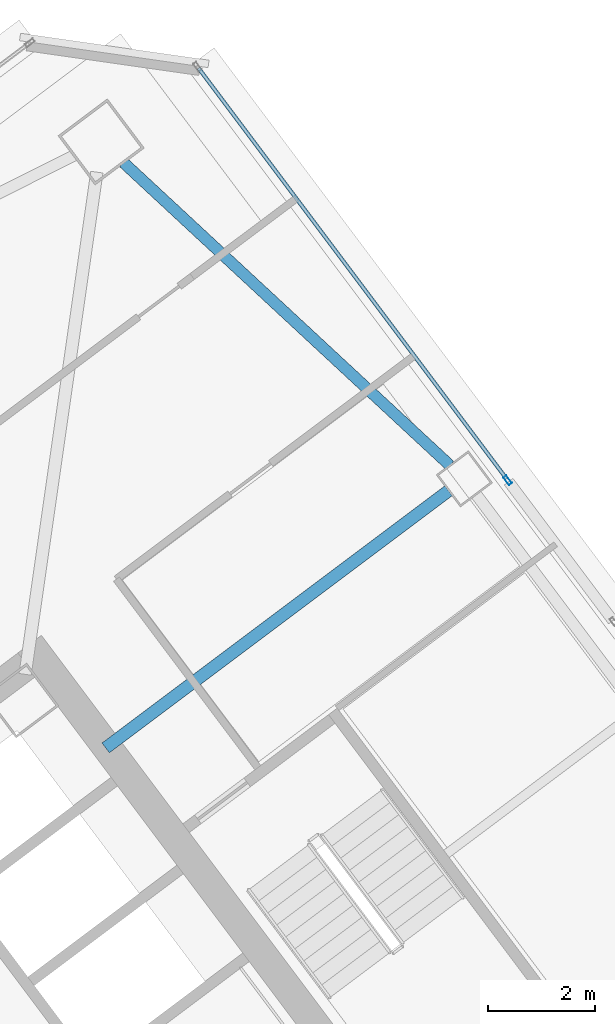
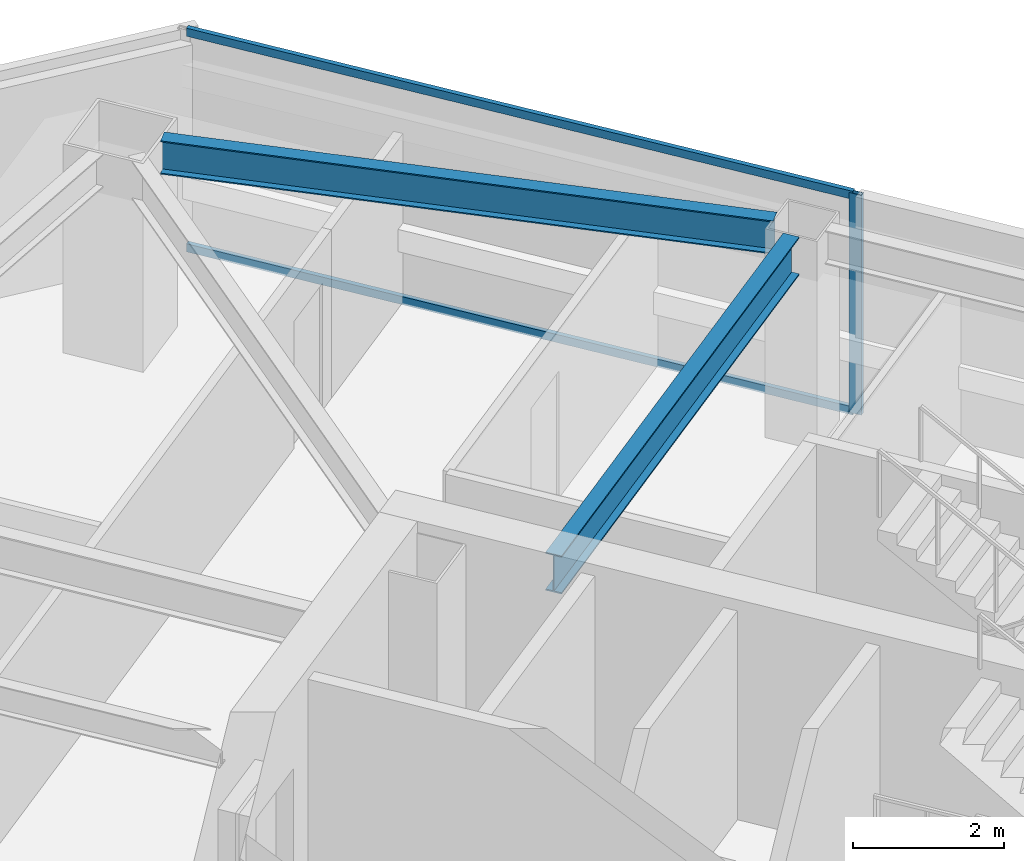
# One storey, part 29 of 43: 3 members, 2 beams, 1 element without a shape of its own.
"""IFC4 building model written with IfcOpenShell, lengths in metres."""

from ifc_helpers import new_model, si_unit, direction, frame, origin, origin_2d, place, context, subcontext, project, spatial, hollow_rectangle, i_section, extrude, material, material_profile, profile_set, type_object, element, aggregate, save


model = new_model("IFC4")

# Units and contexts
model_context = context("Model", 3, precision=1e-05, world=origin(), true_north=direction((0.0, 1.0)))
body_context = subcontext(model_context, "Body", "Model", "MODEL_VIEW")
ifc_project = project(units=[si_unit("LENGTHUNIT", "METRE"), si_unit("AREAUNIT", "SQUARE_METRE"), si_unit("VOLUMEUNIT", "CUBIC_METRE"), si_unit("PLANEANGLEUNIT", "RADIAN"), si_unit("MASSUNIT", "GRAM", prefix="KILO")], contexts=[model_context])

# Site, building, storey
site_placement = place(None, origin())
site = spatial("IfcSite", under=ifc_project, at=site_placement, CompositionType="ELEMENT")
building_placement = place(site_placement, origin())
building = spatial("IfcBuilding", under=site, at=building_placement, Name="Tashvorn Skyway Center", CompositionType="ELEMENT")
storey_placement = place(building_placement, frame((0.0, 0.0, 188.949951171875)))
storey = spatial("IfcBuildingStorey", under=building, at=storey_placement, Name="L51", CompositionType="ELEMENT", Elevation=188.949951171875)

# Beams
ifc_material_1 = material(Name="Steel ASTM A992 Grade 50", Category="steel")
ifc_material_profile_1 = material_profile(ifc_material_1, i_section(OverallWidth=0.22998046875, OverallDepth=0.616943359375, WebThickness=0.01318359375, FlangeThickness=0.022216796875, at=origin_2d()), Name="W24X94")
ifc_profile_set_1 = profile_set([ifc_material_profile_1], Name="Steel ASTM A992 Grade 50")
beam_type_1 = type_object("IfcBeamType", Name="BM-BEAM-W24X94", PredefinedType="BEAM", material=ifc_profile_set_1)
beam_1_placement = place(storey_placement, frame((123.384033203125, 45.7880859375, 3.0615234375), z_axis=(-0.800003662027, -0.599995117266, 0.0), x_axis=(0.599995117266, -0.800003662027, 0.0)))
element("IfcBeam", 1, at=beam_1_placement, inside=storey, type_object=beam_type_1, Name="Tower 2 L51 Primary Floor Girder FC-E2", PredefinedType="BEAM", context=body_context, shape_type="SweptSolid", body=[
    extrude(i_section(OverallWidth=0.22998046875, OverallDepth=0.616943359375, WebThickness=0.01318359375, FlangeThickness=0.022216796875, at=origin_2d()), origin(), (0.0, 0.0, 1.0), 8.000244140625),
])
ifc_material_profile_2 = material_profile(ifc_material_1, i_section(OverallWidth=0.2109375, OverallDepth=0.5390625, WebThickness=0.01171875, FlangeThickness=0.018798828125, at=origin_2d()), Name="W21X73")
ifc_profile_set_2 = profile_set([ifc_material_profile_2], Name="Steel ASTM A992 Grade 50")
beam_type_2 = type_object("IfcBeamType", Name="BM-SPANDREL-W21X73", PredefinedType="SPANDREL", material=ifc_profile_set_2)
beam_2_placement = place(storey_placement, frame((123.40869140625, 46.26171875, 3.1005859375), z_axis=(-0.733101115618, 0.680119661736, 0.0), x_axis=(-0.680119661736, -0.733101115618, 0.0)))
element("IfcBeam", 2, at=beam_2_placement, inside=storey, type_object=beam_type_2, Name="Tower 2 L51 Spandrel Beam 06", PredefinedType="SPANDREL", context=body_context, shape_type="SweptSolid", body=[
    extrude(i_section(OverallWidth=0.2109375, OverallDepth=0.5390625, WebThickness=0.01171875, FlangeThickness=0.018798828125, at=origin_2d()), origin(), (0.0, 0.0, 1.0), 8.308349609375),
])

# Curtain wall, members
ifc_material_2 = material(Name="Thermally broken bronze-anodized aluminium 6063-T6", Category="aluminium")
curtain_wall_type = type_object("IfcCurtainWallType", Name="CW-CW-Z4", PredefinedType="NOTDEFINED", material=ifc_material_2)
curtain_wall_placement = place(storey_placement, origin())
curtain_wall = element("IfcCurtainWall", 3, at=curtain_wall_placement, inside=storey, type_object=curtain_wall_type, Name="Tower 2 L51 East Unitised Curtain Wall Glazing Group 1", PredefinedType="NOTDEFINED")
ifc_material_profile_3 = material_profile(ifc_material_2, hollow_rectangle(XDim=0.070068359375, YDim=0.179931640625, WallThickness=0.00390625, at=origin_2d()), Name="ALU-MULL-70x180")
ifc_profile_set_3 = profile_set([ifc_material_profile_3], Name="Thermally broken bronze-anodized aluminium 6063-T6")
member_type_1 = type_object("IfcMemberType", Name="CWM-CW-Z4", PredefinedType="MULLION", material=ifc_profile_set_3)
member_1_placement = place(storey_placement, frame((124.487060546875, 45.98388671875, 0.0), z_axis=(0.0, 0.0, 1.0), x_axis=(0.799999999998, 0.600000000002, 0.0)))
member_1 = element("IfcMember", 4, at=member_1_placement, type_object=member_type_1, Name="CW-Z4 mullion 2", PredefinedType="MULLION", context=body_context, shape_type="SweptSolid", body=[
    extrude(hollow_rectangle(XDim=0.070068359375, YDim=0.179931640625, WallThickness=0.00390625, at=origin_2d()), origin(), (0.0, 0.0, 1.0), 3.550048828125),
])
ifc_material_profile_4 = material_profile(ifc_material_2, hollow_rectangle(XDim=0.070068359375, YDim=0.1298828125, WallThickness=0.00390625, at=origin_2d()), Name="ALU-TRAN-70x130")
ifc_profile_set_4 = profile_set([ifc_material_profile_4], Name="Thermally broken bronze-anodized aluminium 6063-T6")
member_type_2 = type_object("IfcMemberType", Name="CWT-CW-Z4", PredefinedType="USERDEFINED", material=ifc_profile_set_4)
member_2_placement = place(storey_placement, frame((118.718017578125, 53.676025390625, 0.03515625), z_axis=(0.6, -0.8, 0.0), x_axis=(0.8, 0.6, 0.0)))
member_2 = element("IfcMember", 5, at=member_2_placement, type_object=member_type_2, Name="CW-Z4 transom 1.1", ObjectType="TRANSOM", PredefinedType="USERDEFINED", context=body_context, shape_type="SweptSolid", body=[
    extrude(hollow_rectangle(XDim=0.070068359375, YDim=0.1298828125, WallThickness=0.00390625, at=origin_2d()), origin(), (0.0, 0.0, 1.0), 9.580078125),
])
member_3_placement = place(storey_placement, frame((118.718017578125, 53.676025390625, 3.51513671875), z_axis=(0.6, -0.8, 0.0), x_axis=(0.8, 0.6, 0.0)))
member_3 = element("IfcMember", 6, at=member_3_placement, type_object=member_type_2, Name="CW-Z4 transom 1.2", ObjectType="TRANSOM", PredefinedType="USERDEFINED", context=body_context, shape_type="SweptSolid", body=[
    extrude(hollow_rectangle(XDim=0.070068359375, YDim=0.1298828125, WallThickness=0.00390625, at=origin_2d()), origin(), (0.0, 0.0, 1.0), 9.580078125),
])
aggregate(curtain_wall, [member_1, member_2, member_3])

save(model, "model.ifc")
